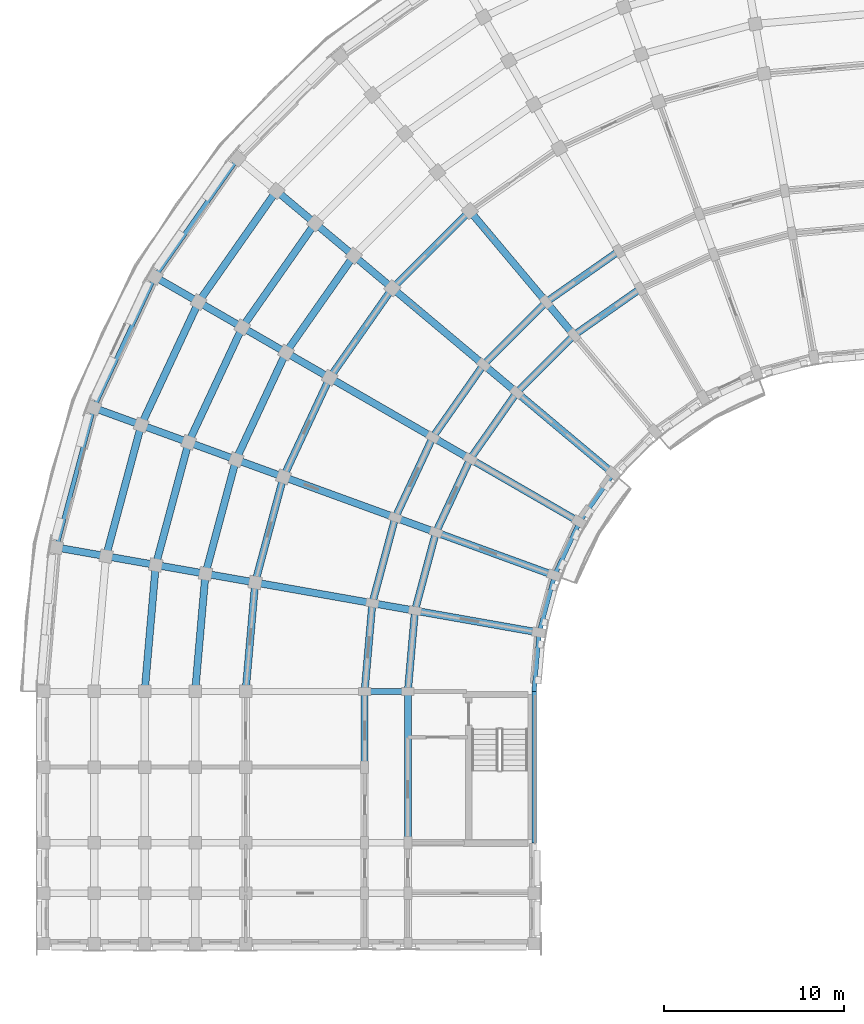
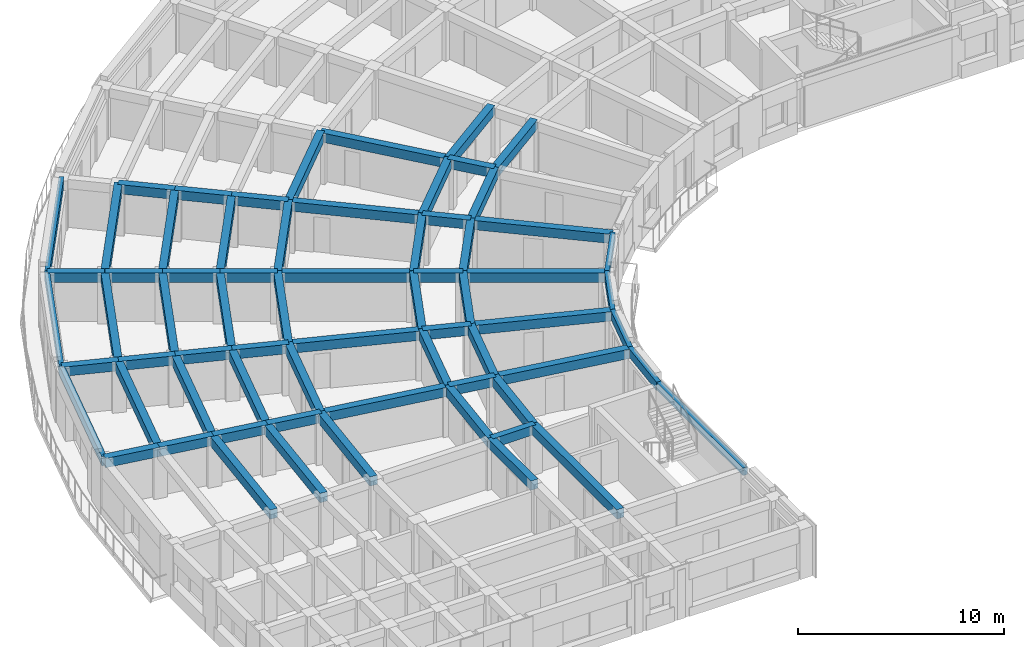
# One storey, part 8 of 57: 68 beams.
"""IFC4 building model written with IfcOpenShell, lengths in metres."""

from ifc_helpers import new_model, si_unit, direction, frame, origin, origin_2d, place, context, subcontext, project, spatial, rectangle, extrude, material, material_profile, profile_set, type_object, element, save


model = new_model("IFC4")

# Units and contexts
model_context = context("Model", 3, precision=1e-05, world=origin(), true_north=direction((0.0, 1.0)))
body_context = subcontext(model_context, "Body", "Model", "MODEL_VIEW")
ifc_project = project(units=[si_unit("LENGTHUNIT", "METRE"), si_unit("AREAUNIT", "SQUARE_METRE"), si_unit("VOLUMEUNIT", "CUBIC_METRE"), si_unit("PLANEANGLEUNIT", "RADIAN"), si_unit("MASSUNIT", "GRAM", prefix="KILO")], contexts=[model_context])

# Site, building, storey
site_placement = place(None, origin())
site = spatial("IfcSite", under=ifc_project, at=site_placement, CompositionType="ELEMENT")
building_placement = place(site_placement, origin())
building = spatial("IfcBuilding", under=site, at=building_placement, Name="Kiranvali Square Residences", CompositionType="ELEMENT")
storey_placement = place(building_placement, frame((0.0, 0.0, 18.14990234375)))
storey = spatial("IfcBuildingStorey", under=building, at=storey_placement, Name="L05", CompositionType="ELEMENT", Elevation=18.14990234375)

# Beams
ifc_material_1 = material(Name="Concrete M40 (40 MPa)", Category="concrete")
ifc_material_profile_1 = material_profile(ifc_material_1, rectangle(XDim=0.35009765625, YDim=0.550048828125, at=origin_2d()), Name="RC 350x550")
ifc_profile_set_1 = profile_set([ifc_material_profile_1], Name="Concrete M40 (40 MPa)")
beam_type_1 = type_object("IfcBeamType", Name="BM-M40-350x550", PredefinedType="BEAM", material=ifc_profile_set_1)
beam_1_placement = place(storey_placement, frame((22.39990234375, 87.800048828125, 2.655029296875), z_axis=(-1.0, 0.0, 0.0), x_axis=(0.0, -1.0, 0.0)))
element("IfcBeam", 1, at=beam_1_placement, inside=storey, type_object=beam_type_1, Name="L05 beam BM-A-L05-A2T0-12", PredefinedType="BEAM", context=body_context, shape_type="SweptSolid", body=[
    extrude(rectangle(XDim=0.35009765625, YDim=0.550048828125, at=origin_2d()), origin(), (0.0, 0.0, 1.0), 2.39990234375),
])
ifc_material_2 = material(Name="Concrete M45 (45 MPa)", Category="concrete")
ifc_material_profile_2 = material_profile(ifc_material_2, rectangle(XDim=0.39990234375, YDim=0.550048828125, at=origin_2d()), Name="RC 400x550")
ifc_profile_set_2 = profile_set([ifc_material_profile_2], Name="Concrete M45 (45 MPa)")
beam_type_2 = type_object("IfcBeamType", Name="BM-M45-400x550", PredefinedType="BEAM", material=ifc_profile_set_2)
beam_2_placement = place(storey_placement, frame((35.300048828125, 110.1435546875, 2.655029296875), z_axis=(-0.819155404658, -0.573571637217, 0.0), x_axis=(0.573571637217, -0.819155404658, 0.0)))
element("IfcBeam", 2, at=beam_2_placement, inside=storey, type_object=beam_type_2, Name="L05 beam BM-A-L05-C03-R1", PredefinedType="BEAM", context=body_context, shape_type="SweptSolid", body=[
    extrude(rectangle(XDim=0.39990234375, YDim=0.550048828125, at=origin_2d()), origin(), (0.0, 0.0, 1.0), 4.497314453125),
])
beam_3_placement = place(storey_placement, frame((34.10009765625, 112.221923828125, 2.655029296875), z_axis=(-0.819140911474, -0.573592335331, 0.0), x_axis=(0.573592335331, -0.819140911474, 0.0)))
element("IfcBeam", 3, at=beam_3_placement, inside=storey, type_object=beam_type_2, Name="L05 beam BM-A-L05-C03-R2", PredefinedType="BEAM", context=body_context, shape_type="SweptSolid", body=[
    extrude(rectangle(XDim=0.39990234375, YDim=0.550048828125, at=origin_2d()), origin(), (0.0, 0.0, 1.0), 4.915771484375),
])
beam_4_placement = place(storey_placement, frame((31.615966796875, 107.56396484375, 2.655029296875), z_axis=(-0.707106781187, -0.707106781187, 0.0), x_axis=(0.707106781187, -0.707106781187, 0.0)))
element("IfcBeam", 4, at=beam_4_placement, inside=storey, type_object=beam_type_2, Name="L05 beam BM-A-L05-C04-R1", PredefinedType="BEAM", context=body_context, shape_type="SweptSolid", body=[
    extrude(rectangle(XDim=0.39990234375, YDim=0.550048828125, at=origin_2d()), origin(), (0.0, 0.0, 1.0), 4.4970703125),
])
beam_5_placement = place(storey_placement, frame((30.073486328125, 109.40234375, 2.655029296875), z_axis=(-0.707106781187, -0.707106781187, 0.0), x_axis=(0.707106781187, -0.707106781187, 0.0)))
element("IfcBeam", 5, at=beam_5_placement, inside=storey, type_object=beam_type_2, Name="L05 beam BM-A-L05-C04-R2", PredefinedType="BEAM", context=body_context, shape_type="SweptSolid", body=[
    extrude(rectangle(XDim=0.39990234375, YDim=0.550048828125, at=origin_2d()), origin(), (0.0, 0.0, 1.0), 4.91552734375),
])
beam_6_placement = place(storey_placement, frame((25.8310546875, 114.458251953125, 2.655029296875), z_axis=(-0.707106781187, -0.707106781187, 0.0), x_axis=(0.707106781187, -0.707106781187, 0.0)))
element("IfcBeam", 6, at=beam_6_placement, inside=storey, type_object=beam_type_2, Name="L05 beam BM-A-L05-C04-R3", PredefinedType="BEAM", context=body_context, shape_type="SweptSolid", body=[
    extrude(rectangle(XDim=0.39990234375, YDim=0.550048828125, at=origin_2d()), origin(), (0.0, 0.0, 1.0), 6.06591796875),
])
beam_7_placement = place(storey_placement, frame((28.43603515625, 104.384033203125, 2.655029296875), z_axis=(-0.573571637217, -0.819155404658, 0.0), x_axis=(0.819155404658, -0.573571637217, 0.0)))
element("IfcBeam", 7, at=beam_7_placement, inside=storey, type_object=beam_type_2, Name="L05 beam BM-A-L05-C05-R1", PredefinedType="BEAM", context=body_context, shape_type="SweptSolid", body=[
    extrude(rectangle(XDim=0.39990234375, YDim=0.550048828125, at=origin_2d()), origin(), (0.0, 0.0, 1.0), 4.497314453125),
])
beam_8_placement = place(storey_placement, frame((26.59765625, 105.926513671875, 2.655029296875), z_axis=(-0.573592335331, -0.819140911474, 0.0), x_axis=(0.819140911474, -0.573592335331, 0.0)))
element("IfcBeam", 8, at=beam_8_placement, inside=storey, type_object=beam_type_2, Name="L05 beam BM-A-L05-C05-R2", PredefinedType="BEAM", context=body_context, shape_type="SweptSolid", body=[
    extrude(rectangle(XDim=0.39990234375, YDim=0.550048828125, at=origin_2d()), origin(), (0.0, 0.0, 1.0), 4.915771484375),
])
beam_9_placement = place(storey_placement, frame((21.541748046875, 110.1689453125, 2.655029296875), z_axis=(-0.573594691504, -0.81913926159, 0.0), x_axis=(0.81913926159, -0.573594691504, 0.0)))
element("IfcBeam", 9, at=beam_9_placement, inside=storey, type_object=beam_type_2, Name="L05 beam BM-A-L05-C05-R3", PredefinedType="BEAM", context=body_context, shape_type="SweptSolid", body=[
    extrude(rectangle(XDim=0.39990234375, YDim=0.550048828125, at=origin_2d()), origin(), (0.0, 0.0, 1.0), 6.066162109375),
])
beam_10_placement = place(storey_placement, frame((19.396728515625, 111.96875, 2.655029296875), z_axis=(-0.573587340268, -0.819144409176, 0.0), x_axis=(0.819144409176, -0.573587340268, 0.0)))
element("IfcBeam", 10, at=beam_10_placement, inside=storey, type_object=beam_type_2, Name="L05 beam BM-A-L05-C05-R4", PredefinedType="BEAM", context=body_context, shape_type="SweptSolid", body=[
    extrude(rectangle(XDim=0.39990234375, YDim=0.550048828125, at=origin_2d()), origin(), (0.0, 0.0, 1.0), 6.553955078125),
])
beam_11_placement = place(storey_placement, frame((17.251708984375, 113.7685546875, 2.655029296875), z_axis=(-0.57356471828, -0.819160249246, 0.0), x_axis=(0.819160249246, -0.57356471828, 0.0)))
element("IfcBeam", 11, at=beam_11_placement, inside=storey, type_object=beam_type_2, Name="L05 beam BM-A-L05-C05-R5", PredefinedType="BEAM", context=body_context, shape_type="SweptSolid", body=[
    extrude(rectangle(XDim=0.39990234375, YDim=0.550048828125, at=origin_2d()), origin(), (0.0, 0.0, 1.0), 7.0419921875),
])
beam_12_placement = place(storey_placement, frame((15.10693359375, 115.568359375, 2.655029296875), z_axis=(-0.573588539275, -0.819143569597, 0.0), x_axis=(0.819143569597, -0.573588539275, 0.0)))
element("IfcBeam", 12, at=beam_12_placement, inside=storey, type_object=beam_type_2, Name="L05 beam BM-A-L05-C05-R6", PredefinedType="BEAM", context=body_context, shape_type="SweptSolid", body=[
    extrude(rectangle(XDim=0.39990234375, YDim=0.550048828125, at=origin_2d()), origin(), (0.0, 0.0, 1.0), 7.5302734375),
])
beam_13_placement = place(storey_placement, frame((25.8564453125, 100.699951171875, 2.655029296875), z_axis=(-0.422617978463, -0.906307919131, 0.0), x_axis=(0.906307919131, -0.422617978463, 0.0)))
element("IfcBeam", 13, at=beam_13_placement, inside=storey, type_object=beam_type_2, Name="L05 beam BM-A-L05-C06-R1", PredefinedType="BEAM", context=body_context, shape_type="SweptSolid", body=[
    extrude(rectangle(XDim=0.39990234375, YDim=0.550048828125, at=origin_2d()), origin(), (0.0, 0.0, 1.0), 4.497314453125),
])
beam_14_placement = place(storey_placement, frame((23.778076171875, 101.89990234375, 2.655029296875), z_axis=(-0.422629854778, -0.906302381024, 0.0), x_axis=(0.906302381024, -0.422629854778, 0.0)))
element("IfcBeam", 14, at=beam_14_placement, inside=storey, type_object=beam_type_2, Name="L05 beam BM-A-L05-C06-R2", PredefinedType="BEAM", context=body_context, shape_type="SweptSolid", body=[
    extrude(rectangle(XDim=0.39990234375, YDim=0.550048828125, at=origin_2d()), origin(), (0.0, 0.0, 1.0), 4.915283203125),
])
beam_15_placement = place(storey_placement, frame((18.062255859375, 105.199951171875, 2.655029296875), z_axis=(-0.42260781991, -0.906312656069, 0.0), x_axis=(0.906312656069, -0.42260781991, 0.0)))
element("IfcBeam", 15, at=beam_15_placement, inside=storey, type_object=beam_type_2, Name="L05 beam BM-A-L05-C06-R3", PredefinedType="BEAM", context=body_context, shape_type="SweptSolid", body=[
    extrude(rectangle(XDim=0.39990234375, YDim=0.550048828125, at=origin_2d()), origin(), (0.0, 0.0, 1.0), 6.06591796875),
])
beam_16_placement = place(storey_placement, frame((15.637451171875, 106.60009765625, 2.655029296875), z_axis=(-0.422595876255, -0.906318225223, 0.0), x_axis=(0.906318225223, -0.422595876255, 0.0)))
element("IfcBeam", 16, at=beam_16_placement, inside=storey, type_object=beam_type_2, Name="L05 beam BM-A-L05-C06-R4", PredefinedType="BEAM", context=body_context, shape_type="SweptSolid", body=[
    extrude(rectangle(XDim=0.39990234375, YDim=0.550048828125, at=origin_2d()), origin(), (0.0, 0.0, 1.0), 6.55419921875),
])
beam_17_placement = place(storey_placement, frame((13.212646484375, 108.0, 2.655029296875), z_axis=(-0.422640621205, -0.906297360311, 0.0), x_axis=(0.906297360311, -0.422640621205, 0.0)))
element("IfcBeam", 17, at=beam_17_placement, inside=storey, type_object=beam_type_2, Name="L05 beam BM-A-L05-C06-R5", PredefinedType="BEAM", context=body_context, shape_type="SweptSolid", body=[
    extrude(rectangle(XDim=0.39990234375, YDim=0.550048828125, at=origin_2d()), origin(), (0.0, 0.0, 1.0), 7.042236328125),
])
beam_18_placement = place(storey_placement, frame((10.78759765625, 109.39990234375, 2.655029296875), z_axis=(-0.422613886933, -0.90630982703, 0.0), x_axis=(0.90630982703, -0.422613886933, 0.0)))
element("IfcBeam", 18, at=beam_18_placement, inside=storey, type_object=beam_type_2, Name="L05 beam BM-A-L05-C06-R6", PredefinedType="BEAM", context=body_context, shape_type="SweptSolid", body=[
    extrude(rectangle(XDim=0.39990234375, YDim=0.550048828125, at=origin_2d()), origin(), (0.0, 0.0, 1.0), 7.5302734375),
])
beam_19_placement = place(storey_placement, frame((23.955810546875, 96.6240234375, 2.655029296875), z_axis=(-0.258787642463, -0.965934240054, 0.0), x_axis=(0.965934240054, -0.258787642463, 0.0)))
element("IfcBeam", 19, at=beam_19_placement, inside=storey, type_object=beam_type_2, Name="L05 beam BM-A-L05-C07-R1", PredefinedType="BEAM", context=body_context, shape_type="SweptSolid", body=[
    extrude(rectangle(XDim=0.39990234375, YDim=0.550048828125, at=origin_2d()), origin(), (0.0, 0.0, 1.0), 4.497314453125),
])
beam_20_placement = place(storey_placement, frame((21.70068359375, 97.445068359375, 2.655029296875), z_axis=(-0.258803112091, -0.965930095386, 0.0), x_axis=(0.965930095386, -0.258803112091, 0.0)))
element("IfcBeam", 20, at=beam_20_placement, inside=storey, type_object=beam_type_2, Name="L05 beam BM-A-L05-C07-R2", PredefinedType="BEAM", context=body_context, shape_type="SweptSolid", body=[
    extrude(rectangle(XDim=0.39990234375, YDim=0.550048828125, at=origin_2d()), origin(), (0.0, 0.0, 1.0), 4.915771484375),
])
beam_21_placement = place(storey_placement, frame((15.498779296875, 99.702392578125, 2.655029296875), z_axis=(-0.258827283048, -0.965923618901, 0.0), x_axis=(0.965923618901, -0.258827283048, 0.0)))
element("IfcBeam", 21, at=beam_21_placement, inside=storey, type_object=beam_type_2, Name="L05 beam BM-A-L05-C07-R3", PredefinedType="BEAM", context=body_context, shape_type="SweptSolid", body=[
    extrude(rectangle(XDim=0.39990234375, YDim=0.550048828125, at=origin_2d()), origin(), (0.0, 0.0, 1.0), 6.066162109375),
])
beam_22_placement = place(storey_placement, frame((12.86767578125, 100.659912109375, 2.655029296875), z_axis=(-0.258847178297, -0.965918287583, 0.0), x_axis=(0.965918287583, -0.258847178297, 0.0)))
element("IfcBeam", 22, at=beam_22_placement, inside=storey, type_object=beam_type_2, Name="L05 beam BM-A-L05-C07-R4", PredefinedType="BEAM", context=body_context, shape_type="SweptSolid", body=[
    extrude(rectangle(XDim=0.39990234375, YDim=0.550048828125, at=origin_2d()), origin(), (0.0, 0.0, 1.0), 6.55419921875),
])
beam_23_placement = place(storey_placement, frame((10.236328125, 101.61767578125, 2.655029296875), z_axis=(-0.258799624492, -0.965931029817, 0.0), x_axis=(0.965931029817, -0.258799624492, 0.0)))
element("IfcBeam", 23, at=beam_23_placement, inside=storey, type_object=beam_type_2, Name="L05 beam BM-A-L05-C07-R5", PredefinedType="BEAM", context=body_context, shape_type="SweptSolid", body=[
    extrude(rectangle(XDim=0.39990234375, YDim=0.550048828125, at=origin_2d()), origin(), (0.0, 0.0, 1.0), 7.042236328125),
])
beam_24_placement = place(storey_placement, frame((7.605224609375, 102.5751953125, 2.655029296875), z_axis=(-0.258818733833, -0.965925909693, 0.0), x_axis=(0.965925909693, -0.258818733833, 0.0)))
element("IfcBeam", 24, at=beam_24_placement, inside=storey, type_object=beam_type_2, Name="L05 beam BM-A-L05-C07-R6", PredefinedType="BEAM", context=body_context, shape_type="SweptSolid", body=[
    extrude(rectangle(XDim=0.39990234375, YDim=0.550048828125, at=origin_2d()), origin(), (0.0, 0.0, 1.0), 7.5302734375),
])
beam_25_placement = place(storey_placement, frame((22.7919921875, 92.280029296875, 2.655029296875), z_axis=(-0.087187153726, -0.996191949488, 0.0), x_axis=(0.996191949488, -0.087187153726, 0.0)))
element("IfcBeam", 25, at=beam_25_placement, inside=storey, type_object=beam_type_2, Name="L05 beam BM-A-L05-C08-R1", PredefinedType="BEAM", context=body_context, shape_type="SweptSolid", body=[
    extrude(rectangle(XDim=0.39990234375, YDim=0.550048828125, at=origin_2d()), origin(), (0.0, 0.0, 1.0), 4.4970703125),
])
beam_26_placement = place(storey_placement, frame((20.428466796875, 92.69677734375, 2.655029296875), z_axis=(-0.087167566415, -0.996193663584, 0.0), x_axis=(0.996193663584, -0.087167566415, 0.0)))
element("IfcBeam", 26, at=beam_26_placement, inside=storey, type_object=beam_type_2, Name="L05 beam BM-A-L05-C08-R2", PredefinedType="BEAM", context=body_context, shape_type="SweptSolid", body=[
    extrude(rectangle(XDim=0.39990234375, YDim=0.550048828125, at=origin_2d()), origin(), (0.0, 0.0, 1.0), 4.91552734375),
])
beam_27_placement = place(storey_placement, frame((13.9287109375, 93.843017578125, 2.655029296875), z_axis=(-0.087174938512, -0.996193018494, 0.0), x_axis=(0.996193018494, -0.087174938512, 0.0)))
element("IfcBeam", 27, at=beam_27_placement, inside=storey, type_object=beam_type_2, Name="L05 beam BM-A-L05-C08-R3", PredefinedType="BEAM", context=body_context, shape_type="SweptSolid", body=[
    extrude(rectangle(XDim=0.39990234375, YDim=0.550048828125, at=origin_2d()), origin(), (0.0, 0.0, 1.0), 6.066162109375),
])
beam_28_placement = place(storey_placement, frame((11.171142578125, 94.3291015625, 2.655029296875), z_axis=(-0.0871295204, -0.996196991902, 0.0), x_axis=(0.996196991902, -0.0871295204, 0.0)))
element("IfcBeam", 28, at=beam_28_placement, inside=storey, type_object=beam_type_2, Name="L05 beam BM-A-L05-C08-R4", PredefinedType="BEAM", context=body_context, shape_type="SweptSolid", body=[
    extrude(rectangle(XDim=0.39990234375, YDim=0.550048828125, at=origin_2d()), origin(), (0.0, 0.0, 1.0), 6.553955078125),
])
beam_29_placement = place(storey_placement, frame((8.413818359375, 94.8154296875, 2.655029296875), z_axis=(-0.087156198737, -0.996194658198, 0.0), x_axis=(0.996194658198, -0.087156198737, 0.0)))
element("IfcBeam", 29, at=beam_29_placement, inside=storey, type_object=beam_type_2, Name="L05 beam BM-A-L05-C08-R5", PredefinedType="BEAM", context=body_context, shape_type="SweptSolid", body=[
    extrude(rectangle(XDim=0.39990234375, YDim=0.550048828125, at=origin_2d()), origin(), (0.0, 0.0, 1.0), 7.042236328125),
])
beam_30_placement = place(storey_placement, frame((31.615966796875, 107.56396484375, 2.655029296875), z_axis=(-0.642762521781, 0.766065493671, 0.0), x_axis=(-0.766065493671, -0.642762521781, 0.0)))
element("IfcBeam", 30, at=beam_30_placement, inside=storey, type_object=beam_type_2, Name="L05 beam BM-A-L05-RAD04-12", PredefinedType="BEAM", context=body_context, shape_type="SweptSolid", body=[
    extrude(rectangle(XDim=0.39990234375, YDim=0.550048828125, at=origin_2d()), origin(), (0.0, 0.0, 1.0), 2.399658203125),
])
beam_31_placement = place(storey_placement, frame((30.073486328125, 109.40234375, 2.655029296875), z_axis=(-0.642789470807, 0.766042881449, 0.0), x_axis=(-0.766042881449, -0.642789470807, 0.0)))
element("IfcBeam", 31, at=beam_31_placement, inside=storey, type_object=beam_type_2, Name="L05 beam BM-A-L05-RAD04-23", PredefinedType="BEAM", context=body_context, shape_type="SweptSolid", body=[
    extrude(rectangle(XDim=0.39990234375, YDim=0.550048828125, at=origin_2d()), origin(), (0.0, 0.0, 1.0), 6.60009765625),
])
beam_32_placement = place(storey_placement, frame((33.79833984375, 99.884521484375, 2.655029296875), z_axis=(-0.766044173478, 0.642787931032, 0.0), x_axis=(-0.642787931032, -0.766044173478, 0.0)))
element("IfcBeam", 32, at=beam_32_placement, inside=storey, type_object=beam_type_2, Name="L05 beam BM-A-L05-RAD05-01", PredefinedType="BEAM", context=body_context, shape_type="SweptSolid", body=[
    extrude(rectangle(XDim=0.39990234375, YDim=0.550048828125, at=origin_2d()), origin(), (0.0, 0.0, 1.0), 7.0),
])
beam_33_placement = place(storey_placement, frame((28.43603515625, 104.384033203125, 2.655029296875), z_axis=(-0.766065493671, 0.642762521781, 0.0), x_axis=(-0.642762521781, -0.766065493671, 0.0)))
element("IfcBeam", 33, at=beam_33_placement, inside=storey, type_object=beam_type_2, Name="L05 beam BM-A-L05-RAD05-12", PredefinedType="BEAM", context=body_context, shape_type="SweptSolid", body=[
    extrude(rectangle(XDim=0.39990234375, YDim=0.550048828125, at=origin_2d()), origin(), (0.0, 0.0, 1.0), 2.399658203125),
])
beam_34_placement = place(storey_placement, frame((26.59765625, 105.926513671875, 2.655029296875), z_axis=(-0.766042881449, 0.642789470807, 0.0), x_axis=(-0.642789470807, -0.766042881449, 0.0)))
element("IfcBeam", 34, at=beam_34_placement, inside=storey, type_object=beam_type_2, Name="L05 beam BM-A-L05-RAD05-23", PredefinedType="BEAM", context=body_context, shape_type="SweptSolid", body=[
    extrude(rectangle(XDim=0.39990234375, YDim=0.550048828125, at=origin_2d()), origin(), (0.0, 0.0, 1.0), 6.60009765625),
])
for number, where, z_axis, x_axis, name in (
    (35, (21.541748046875, 110.1689453125, 2.655029296875), (-0.766058583359, 0.642770757628, 0.0), (-0.642770757628, -0.766058583359, 0.0), "L05 beam BM-A-L05-RAD05-34"),
    (36, (19.396728515625, 111.96875, 2.655029296875), (-0.766058583359, 0.642770757628, 0.0), (-0.642770757628, -0.766058583359, 0.0), "L05 beam BM-A-L05-RAD05-45"),
):
    element("IfcBeam", number, at=place(storey_placement, frame(where, z_axis=z_axis, x_axis=x_axis)), inside=storey, type_object=beam_type_2, Name=name, PredefinedType="BEAM", context=body_context, shape_type="SweptSolid", body=[
        extrude(rectangle(XDim=0.39990234375, YDim=0.550048828125, at=origin_2d()), origin(), (0.0, 0.0, 1.0), 2.800048828125),
    ])
beam_35_placement = place(storey_placement, frame((17.251708984375, 113.7685546875, 2.655029296875), z_axis=(-0.76602255649, 0.642813692253, 0.0), x_axis=(-0.642813692253, -0.76602255649, 0.0)))
element("IfcBeam", 37, at=beam_35_placement, inside=storey, type_object=beam_type_2, Name="L05 beam BM-A-L05-RAD05-56", PredefinedType="BEAM", context=body_context, shape_type="SweptSolid", body=[
    extrude(rectangle(XDim=0.39990234375, YDim=0.550048828125, at=origin_2d()), origin(), (0.0, 0.0, 1.0), 2.7998046875),
])
beam_36_placement = place(storey_placement, frame((31.918701171875, 97.199951171875, 2.655029296875), z_axis=(-0.866028190633, 0.499995173006, 0.0), x_axis=(-0.499995173006, -0.866028190633, 0.0)))
element("IfcBeam", 38, at=beam_36_placement, inside=storey, type_object=beam_type_2, Name="L05 beam BM-A-L05-RAD06-01", PredefinedType="BEAM", context=body_context, shape_type="SweptSolid", body=[
    extrude(rectangle(XDim=0.39990234375, YDim=0.550048828125, at=origin_2d()), origin(), (0.0, 0.0, 1.0), 7.0),
])
beam_37_placement = place(storey_placement, frame((25.8564453125, 100.699951171875, 2.655029296875), z_axis=(-0.866024647952, 0.500001309137, 0.0), x_axis=(-0.500001309137, -0.866024647952, 0.0)))
element("IfcBeam", 39, at=beam_37_placement, inside=storey, type_object=beam_type_2, Name="L05 beam BM-A-L05-RAD06-12", PredefinedType="BEAM", context=body_context, shape_type="SweptSolid", body=[
    extrude(rectangle(XDim=0.39990234375, YDim=0.550048828125, at=origin_2d()), origin(), (0.0, 0.0, 1.0), 2.39990234375),
])
beam_38_placement = place(storey_placement, frame((23.778076171875, 101.89990234375, 2.655029296875), z_axis=(-0.866024194504, 0.500002094529, 0.0), x_axis=(-0.500002094529, -0.866024194504, 0.0)))
element("IfcBeam", 40, at=beam_38_placement, inside=storey, type_object=beam_type_2, Name="L05 beam BM-A-L05-RAD06-23", PredefinedType="BEAM", context=body_context, shape_type="SweptSolid", body=[
    extrude(rectangle(XDim=0.39990234375, YDim=0.550048828125, at=origin_2d()), origin(), (0.0, 0.0, 1.0), 6.60009765625),
])
beam_39_placement = place(storey_placement, frame((18.062255859375, 105.199951171875, 2.655029296875), z_axis=(-0.865996816683, 0.500049511043, 0.0), x_axis=(-0.500049511043, -0.865996816683, 0.0)))
element("IfcBeam", 41, at=beam_39_placement, inside=storey, type_object=beam_type_2, Name="L05 beam BM-A-L05-RAD06-34", PredefinedType="BEAM", context=body_context, shape_type="SweptSolid", body=[
    extrude(rectangle(XDim=0.39990234375, YDim=0.550048828125, at=origin_2d()), origin(), (0.0, 0.0, 1.0), 2.800048828125),
])
beam_40_placement = place(storey_placement, frame((15.637451171875, 106.60009765625, 2.655029296875), z_axis=(-0.866034573852, 0.49998411664, 0.0), x_axis=(-0.49998411664, -0.866034573852, 0.0)))
element("IfcBeam", 42, at=beam_40_placement, inside=storey, type_object=beam_type_2, Name="L05 beam BM-A-L05-RAD06-45", PredefinedType="BEAM", context=body_context, shape_type="SweptSolid", body=[
    extrude(rectangle(XDim=0.39990234375, YDim=0.550048828125, at=origin_2d()), origin(), (0.0, 0.0, 1.0), 2.7998046875),
])
for number, where, z_axis, x_axis, name in (
    (43, (13.212646484375, 108.0, 2.655029296875), (-0.866056369097, 0.49994636267, 0.0), (-0.49994636267, -0.866056369097, 0.0), "L05 beam BM-A-L05-RAD06-56"),
    (44, (10.78759765625, 109.39990234375, 2.655029296875), (-0.865996816683, 0.500049511043, 0.0), (-0.500049511043, -0.865996816683, 0.0), "L05 beam BM-A-L05-RAD06-67"),
):
    element("IfcBeam", number, at=place(storey_placement, frame(where, z_axis=z_axis, x_axis=x_axis)), inside=storey, type_object=beam_type_2, Name=name, PredefinedType="BEAM", context=body_context, shape_type="SweptSolid", body=[
        extrude(rectangle(XDim=0.39990234375, YDim=0.550048828125, at=origin_2d()), origin(), (0.0, 0.0, 1.0), 2.800048828125),
    ])
beam_41_placement = place(storey_placement, frame((30.53369140625, 94.22998046875, 2.655029296875), z_axis=(-0.939697665127, 0.342006283793, 0.0), x_axis=(-0.342006283793, -0.939697665127, 0.0)))
element("IfcBeam", 45, at=beam_41_placement, inside=storey, type_object=beam_type_2, Name="L05 beam BM-A-L05-RAD07-01", PredefinedType="BEAM", context=body_context, shape_type="SweptSolid", body=[
    extrude(rectangle(XDim=0.39990234375, YDim=0.550048828125, at=origin_2d()), origin(), (0.0, 0.0, 1.0), 7.0),
])
beam_42_placement = place(storey_placement, frame((23.955810546875, 96.6240234375, 2.655029296875), z_axis=(-0.939659694648, 0.342110593602, 0.0), x_axis=(-0.342110593602, -0.939659694648, 0.0)))
element("IfcBeam", 46, at=beam_42_placement, inside=storey, type_object=beam_type_2, Name="L05 beam BM-A-L05-RAD07-12", PredefinedType="BEAM", context=body_context, shape_type="SweptSolid", body=[
    extrude(rectangle(XDim=0.39990234375, YDim=0.550048828125, at=origin_2d()), origin(), (0.0, 0.0, 1.0), 2.39990234375),
])
beam_43_placement = place(storey_placement, frame((21.70068359375, 97.445068359375, 2.655029296875), z_axis=(-0.939691858249, 0.342022238372, 0.0), x_axis=(-0.342022238372, -0.939691858249, 0.0)))
element("IfcBeam", 47, at=beam_43_placement, inside=storey, type_object=beam_type_2, Name="L05 beam BM-A-L05-RAD07-23", PredefinedType="BEAM", context=body_context, shape_type="SweptSolid", body=[
    extrude(rectangle(XDim=0.39990234375, YDim=0.550048828125, at=origin_2d()), origin(), (0.0, 0.0, 1.0), 6.599853515625),
])
beam_44_placement = place(storey_placement, frame((15.498779296875, 99.702392578125, 2.655029296875), z_axis=(-0.93970683422, 0.341981089711, 0.0), x_axis=(-0.341981089711, -0.93970683422, 0.0)))
element("IfcBeam", 48, at=beam_44_placement, inside=storey, type_object=beam_type_2, Name="L05 beam BM-A-L05-RAD07-34", PredefinedType="BEAM", context=body_context, shape_type="SweptSolid", body=[
    extrude(rectangle(XDim=0.39990234375, YDim=0.550048828125, at=origin_2d()), origin(), (0.0, 0.0, 1.0), 2.7998046875),
])
beam_45_placement = place(storey_placement, frame((12.86767578125, 100.659912109375, 2.655029296875), z_axis=(-0.939689011208, 0.342030060398, 0.0), x_axis=(-0.342030060398, -0.939689011208, 0.0)))
element("IfcBeam", 49, at=beam_45_placement, inside=storey, type_object=beam_type_2, Name="L05 beam BM-A-L05-RAD07-45", PredefinedType="BEAM", context=body_context, shape_type="SweptSolid", body=[
    extrude(rectangle(XDim=0.39990234375, YDim=0.550048828125, at=origin_2d()), origin(), (0.0, 0.0, 1.0), 2.80029296875),
])
beam_46_placement = place(storey_placement, frame((10.236328125, 101.61767578125, 2.655029296875), z_axis=(-0.93970683422, 0.341981089711, 0.0), x_axis=(-0.341981089711, -0.93970683422, 0.0)))
element("IfcBeam", 50, at=beam_46_placement, inside=storey, type_object=beam_type_2, Name="L05 beam BM-A-L05-RAD07-56", PredefinedType="BEAM", context=body_context, shape_type="SweptSolid", body=[
    extrude(rectangle(XDim=0.39990234375, YDim=0.550048828125, at=origin_2d()), origin(), (0.0, 0.0, 1.0), 2.7998046875),
])
beam_47_placement = place(storey_placement, frame((7.605224609375, 102.5751953125, 2.655029296875), z_axis=(-0.939678810556, 0.342058084236, 0.0), x_axis=(-0.342058084236, -0.939678810556, 0.0)))
element("IfcBeam", 51, at=beam_47_placement, inside=storey, type_object=beam_type_2, Name="L05 beam BM-A-L05-RAD07-67", PredefinedType="BEAM", context=body_context, shape_type="SweptSolid", body=[
    extrude(rectangle(XDim=0.39990234375, YDim=0.550048828125, at=origin_2d()), origin(), (0.0, 0.0, 1.0), 2.800048828125),
])
beam_48_placement = place(storey_placement, frame((29.685546875, 91.064697265625, 2.655029296875), z_axis=(-0.984812337125, 0.173622177865, 0.0), x_axis=(-0.173622177865, -0.984812337125, 0.0)))
element("IfcBeam", 52, at=beam_48_placement, inside=storey, type_object=beam_type_2, Name="L05 beam BM-A-L05-RAD08-01", PredefinedType="BEAM", context=body_context, shape_type="SweptSolid", body=[
    extrude(rectangle(XDim=0.39990234375, YDim=0.550048828125, at=origin_2d()), origin(), (0.0, 0.0, 1.0), 6.999755859375),
])
beam_49_placement = place(storey_placement, frame((22.7919921875, 92.280029296875, 2.655029296875), z_axis=(-0.984808127031, 0.173646056486, 0.0), x_axis=(-0.173646056486, -0.984808127031, 0.0)))
element("IfcBeam", 53, at=beam_49_placement, inside=storey, type_object=beam_type_2, Name="L05 beam BM-A-L05-RAD08-12", PredefinedType="BEAM", context=body_context, shape_type="SweptSolid", body=[
    extrude(rectangle(XDim=0.39990234375, YDim=0.550048828125, at=origin_2d()), origin(), (0.0, 0.0, 1.0), 2.39990234375),
])
beam_50_placement = place(storey_placement, frame((20.428466796875, 92.69677734375, 2.655029296875), z_axis=(-0.984803661269, 0.173671381499, 0.0), x_axis=(-0.173671381499, -0.984803661269, 0.0)))
element("IfcBeam", 54, at=beam_50_placement, inside=storey, type_object=beam_type_2, Name="L05 beam BM-A-L05-RAD08-23", PredefinedType="BEAM", context=body_context, shape_type="SweptSolid", body=[
    extrude(rectangle(XDim=0.39990234375, YDim=0.550048828125, at=origin_2d()), origin(), (0.0, 0.0, 1.0), 6.60009765625),
])
beam_51_placement = place(storey_placement, frame((13.9287109375, 93.843017578125, 2.655029296875), z_axis=(-0.984816895441, 0.173596320392, 0.0), x_axis=(-0.173596320392, -0.984816895441, 0.0)))
element("IfcBeam", 55, at=beam_51_placement, inside=storey, type_object=beam_type_2, Name="L05 beam BM-A-L05-RAD08-34", PredefinedType="BEAM", context=body_context, shape_type="SweptSolid", body=[
    extrude(rectangle(XDim=0.39990234375, YDim=0.550048828125, at=origin_2d()), origin(), (0.0, 0.0, 1.0), 2.800048828125),
])
beam_52_placement = place(storey_placement, frame((11.171142578125, 94.3291015625, 2.655029296875), z_axis=(-0.984799355489, 0.173695795656, 0.0), x_axis=(-0.173695795656, -0.984799355489, 0.0)))
element("IfcBeam", 56, at=beam_52_placement, inside=storey, type_object=beam_type_2, Name="L05 beam BM-A-L05-RAD08-45", PredefinedType="BEAM", context=body_context, shape_type="SweptSolid", body=[
    extrude(rectangle(XDim=0.39990234375, YDim=0.550048828125, at=origin_2d()), origin(), (0.0, 0.0, 1.0), 2.7998046875),
])
beam_53_placement = place(storey_placement, frame((8.413818359375, 94.8154296875, 2.655029296875), z_axis=(-0.984816895441, 0.173596320392, 0.0), x_axis=(-0.173596320392, -0.984816895441, 0.0)))
element("IfcBeam", 57, at=beam_53_placement, inside=storey, type_object=beam_type_2, Name="L05 beam BM-A-L05-RAD08-56", PredefinedType="BEAM", context=body_context, shape_type="SweptSolid", body=[
    extrude(rectangle(XDim=0.39990234375, YDim=0.550048828125, at=origin_2d()), origin(), (0.0, 0.0, 1.0), 2.800048828125),
])
beam_54_placement = place(storey_placement, frame((5.65625, 95.301513671875, 2.655029296875), z_axis=(-0.984799355489, 0.173695795656, 0.0), x_axis=(-0.173695795656, -0.984799355489, 0.0)))
element("IfcBeam", 58, at=beam_54_placement, inside=storey, type_object=beam_type_2, Name="L05 beam BM-A-L05-RAD08-67", PredefinedType="BEAM", context=body_context, shape_type="SweptSolid", body=[
    extrude(rectangle(XDim=0.39990234375, YDim=0.550048828125, at=origin_2d()), origin(), (0.0, 0.0, 1.0), 2.7998046875),
])
beam_55_placement = place(storey_placement, frame((22.39990234375, 87.800048828125, 2.655029296875), z_axis=(0.0, -1.0, 0.0), x_axis=(1.0, 0.0, 0.0)))
element("IfcBeam", 59, at=beam_55_placement, inside=storey, type_object=beam_type_2, Name="L05 beam BM-A-L05-A2V0-R1", PredefinedType="BEAM", context=body_context, shape_type="SweptSolid", body=[
    extrude(rectangle(XDim=0.39990234375, YDim=0.550048828125, at=origin_2d()), origin(), (0.0, 0.0, 1.0), 8.400146484375),
])
beam_56_placement = place(storey_placement, frame((20.0, 87.800048828125, 2.655029296875), z_axis=(0.0, -1.0, 0.0), x_axis=(1.0, 0.0, 0.0)))
element("IfcBeam", 60, at=beam_56_placement, inside=storey, type_object=beam_type_2, Name="L05 beam BM-A-L05-A2V0-R2", PredefinedType="BEAM", context=body_context, shape_type="SweptSolid", body=[
    extrude(rectangle(XDim=0.39990234375, YDim=0.550048828125, at=origin_2d()), origin(), (0.0, 0.0, 1.0), 4.199951171875),
])
ifc_material_profile_3 = material_profile(ifc_material_1, rectangle(XDim=0.25, YDim=0.449951171875, at=origin_2d()), Name="RC 250x450")
ifc_profile_set_3 = profile_set([ifc_material_profile_3], Name="Concrete M40 (40 MPa)")
beam_type_3 = type_object("IfcBeamType", Name="SPN-M40-250x450", PredefinedType="SPANDREL", material=ifc_profile_set_3)
beam_57_placement = place(storey_placement, frame((29.39990234375, 87.800048828125, 2.705078125), z_axis=(0.0, -1.0, 0.0), x_axis=(1.0, 0.0, 0.0)))
element("IfcBeam", 61, at=beam_57_placement, inside=storey, type_object=beam_type_3, Name="L05 beam BM-A-L05-A2V0-R0", PredefinedType="SPANDREL", context=body_context, shape_type="SweptSolid", body=[
    extrude(rectangle(XDim=0.25, YDim=0.449951171875, at=origin_2d()), origin(), (0.0, 0.0, 1.0), 8.400146484375),
])
ifc_material_profile_4 = material_profile(ifc_material_1, rectangle(XDim=0.25, YDim=0.5, at=origin_2d()), Name="RC 250x500")
ifc_profile_set_4 = profile_set([ifc_material_profile_4], Name="Concrete M40 (40 MPa)")
beam_type_4 = type_object("IfcBeamType", Name="SPN-M40-250x500", PredefinedType="SPANDREL", material=ifc_profile_set_4)
for number, where, z_axis, x_axis, name in (
    (62, (33.79833984375, 99.884521484375, 2.68017578125), (-0.573552337269, -0.81916891812, 0.0), (0.81916891812, -0.573552337269, 0.0), "L05 beam BM-A-L05-C05-R0"),
    (63, (31.918701171875, 97.199951171875, 2.68017578125), (-0.422640740585, -0.90629730464, 0.0), (0.90629730464, -0.422640740585, 0.0), "L05 beam BM-A-L05-C06-R0"),
):
    element("IfcBeam", number, at=place(storey_placement, frame(where, z_axis=z_axis, x_axis=x_axis)), inside=storey, type_object=beam_type_4, Name=name, PredefinedType="SPANDREL", context=body_context, shape_type="SweptSolid", body=[
        extrude(rectangle(XDim=0.25, YDim=0.5, at=origin_2d()), origin(), (0.0, 0.0, 1.0), 3.277099609375),
    ])
beam_58_placement = place(storey_placement, frame((30.53369140625, 94.22998046875, 2.68017578125), z_axis=(-0.258821736607, -0.965925105099, 0.0), x_axis=(0.965925105099, -0.258821736607, 0.0)))
element("IfcBeam", 64, at=beam_58_placement, inside=storey, type_object=beam_type_4, Name="L05 beam BM-A-L05-C07-R0", PredefinedType="SPANDREL", context=body_context, shape_type="SweptSolid", body=[
    extrude(rectangle(XDim=0.25, YDim=0.5, at=origin_2d()), origin(), (0.0, 0.0, 1.0), 3.27685546875),
])
beam_59_placement = place(storey_placement, frame((29.685546875, 91.064697265625, 2.68017578125), z_axis=(-0.087163253657, -0.996194040944, 0.0), x_axis=(0.996194040944, -0.087163253657, 0.0)))
element("IfcBeam", 65, at=beam_59_placement, inside=storey, type_object=beam_type_4, Name="L05 beam BM-A-L05-C08-R0", PredefinedType="SPANDREL", context=body_context, shape_type="SweptSolid", body=[
    extrude(rectangle(XDim=0.25, YDim=0.5, at=origin_2d()), origin(), (0.0, 0.0, 1.0), 3.277099609375),
])
ifc_material_profile_5 = material_profile(ifc_material_1, rectangle(XDim=0.25, YDim=0.550048828125, at=origin_2d()), Name="RC 250x550")
ifc_profile_set_5 = profile_set([ifc_material_profile_5], Name="Concrete M40 (40 MPa)")
beam_type_5 = type_object("IfcBeamType", Name="SPN-M40-250x550", PredefinedType="SPANDREL", material=ifc_profile_set_5)
for number, where, z_axis, x_axis, name in (
    (66, (12.9619140625, 117.3681640625, 2.655029296875), (-0.573582904791, -0.819147515001, 0.0), (0.819147515001, -0.573582904791, 0.0), "L05 beam BM-A-L05-C05-R7"),
    (67, (8.36279296875, 110.800048828125, 2.655029296875), (-0.422615416827, -0.906309113636, 0.0), (0.906309113636, -0.422615416827, 0.0), "L05 beam BM-A-L05-C06-R7"),
    (68, (4.97412109375, 103.532958984375, 2.655029296875), (-0.258807108475, -0.96592902462, 0.0), (0.96592902462, -0.258807108475, 0.0), "L05 beam BM-A-L05-C07-R7"),
):
    element("IfcBeam", number, at=place(storey_placement, frame(where, z_axis=z_axis, x_axis=x_axis)), inside=storey, type_object=beam_type_5, Name=name, PredefinedType="SPANDREL", context=body_context, shape_type="SweptSolid", body=[
        extrude(rectangle(XDim=0.25, YDim=0.550048828125, at=origin_2d()), origin(), (0.0, 0.0, 1.0), 8.018310546875),
    ])

save(model, "model.ifc")
